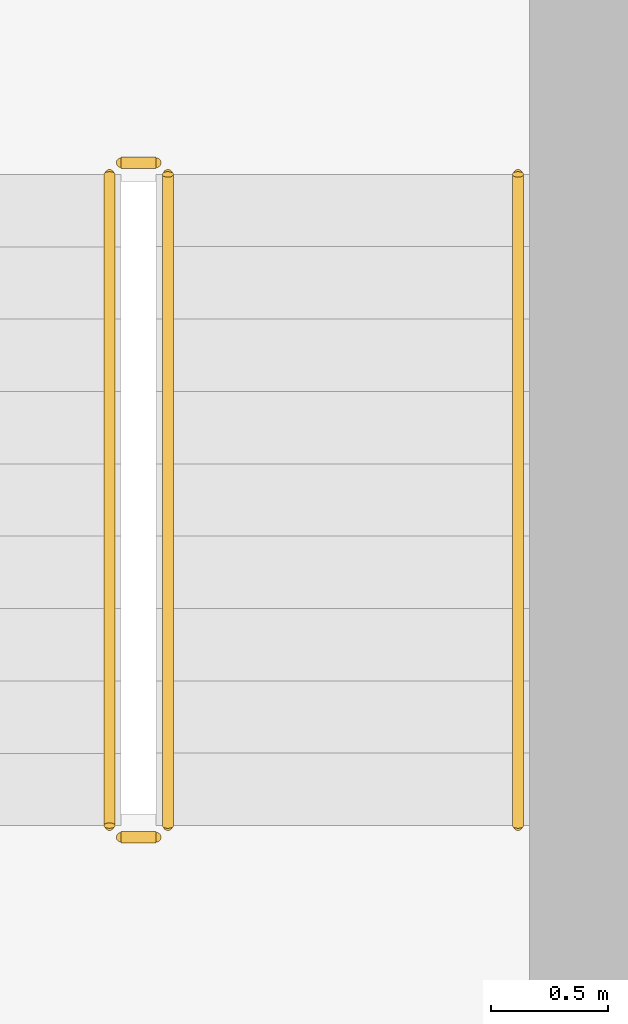
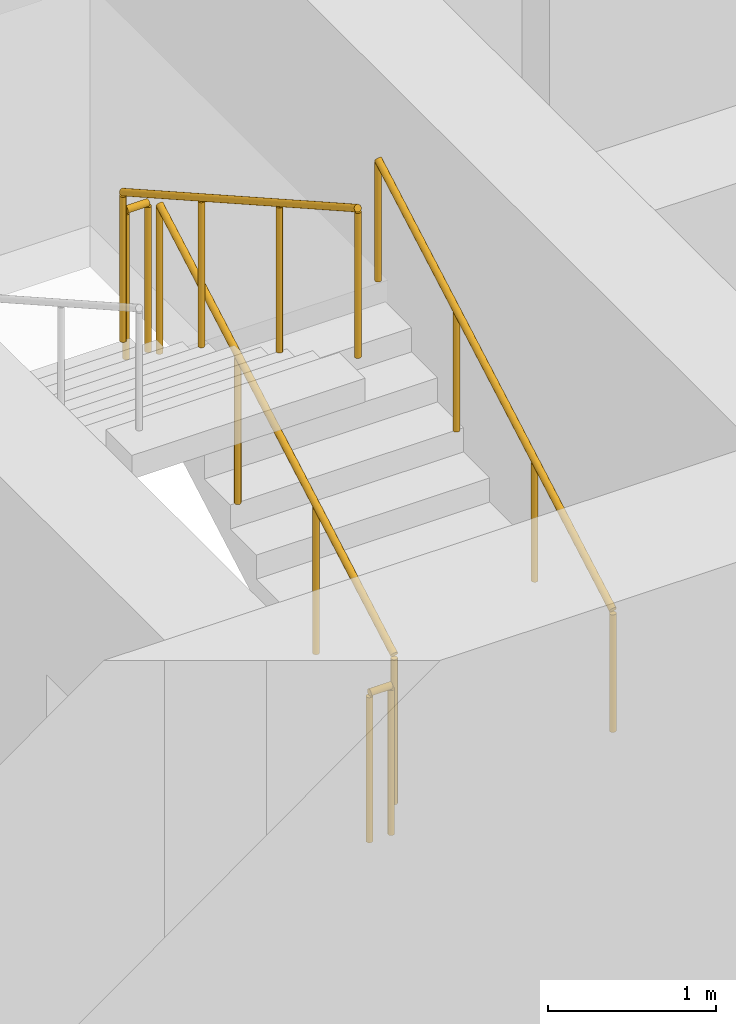
# One storey, part 17 of 21: 5 railings.
"""IFC4 building model written with IfcOpenShell, lengths in metres."""

from ifc_helpers import new_model, si_unit, direction, frame, origin, origin_2d, place, context, subcontext, project, spatial, circle, extrude, material, type_object, element, save


model = new_model("IFC4")

# Units and contexts
model_context = context("Model", 3, precision=1e-05, world=origin(), true_north=direction((0.0, 1.0)))
body_context = subcontext(model_context, "Body", "Model", "MODEL_VIEW")
ifc_project = project(units=[si_unit("LENGTHUNIT", "METRE"), si_unit("AREAUNIT", "SQUARE_METRE"), si_unit("VOLUMEUNIT", "CUBIC_METRE"), si_unit("PLANEANGLEUNIT", "RADIAN"), si_unit("MASSUNIT", "GRAM", prefix="KILO")], contexts=[model_context])

# Site, building, storey
site_placement = place(None, origin())
site = spatial("IfcSite", under=ifc_project, at=site_placement, CompositionType="ELEMENT")
building_placement = place(site_placement, origin())
building = spatial("IfcBuilding", under=site, at=building_placement, Name="Madar Terraces", CompositionType="ELEMENT")
storey_placement = place(building_placement, frame((0.0, 0.0, 29.39990234375)))
storey = spatial("IfcBuildingStorey", under=building, at=storey_placement, Name="L06", CompositionType="ELEMENT", Elevation=29.39990234375)

# Railings
ifc_material_1 = material(Name="Stainless steel railing", Category="steel")
railing_type_1 = type_object("IfcRailingType", Name="Stair guard 1100", PredefinedType="GUARDRAIL", material=ifc_material_1)
railing_1_placement = place(storey_placement, frame((21.199951171875, 17.60009765625, 0.175048828125)))
element("IfcRailing", 1, at=railing_1_placement, inside=storey, type_object=railing_type_1, Name="L06 ST1 stair guard 1", PredefinedType="GUARDRAIL", context=body_context, shape_type="SweptSolid", body=[
    extrude(circle(Radius=0.02392578125, at=origin_2d()), frame((0.0, 0.0, 1.076171875), z_axis=(0.0, 0.870815363784, 0.491610213684), x_axis=(-1.0, 0.0, 0.0)), (0.0, 0.0, 1.0), 3.20361328125),
    extrude(circle(Radius=0.02099609375, at=origin_2d()), origin(), (0.0, 0.0, 1.0), 1.052001953125),
    extrude(circle(Radius=0.02099609375, at=origin_2d()), frame((0.0, 0.929931640625, 0.52490234375)), (0.0, 0.0, 1.0), 1.052001953125),
    extrude(circle(Radius=0.02099609375, at=origin_2d()), frame((0.0, 1.85986328125, 1.050048828125)), (0.0, 0.0, 1.0), 1.052001953125),
    extrude(circle(Radius=0.02099609375, at=origin_2d()), frame((0.0, 2.789794921875, 1.574951171875)), (0.0, 0.0, 1.0), 1.052001953125),
])
railing_2_placement = place(storey_placement, frame((21.14990234375, 20.43994140625, 1.75)))
element("IfcRailing", 2, at=railing_2_placement, inside=storey, type_object=railing_type_1, Name="L06 ST1 stair guard 2", PredefinedType="GUARDRAIL", context=body_context, shape_type="SweptSolid", body=[
    extrude(circle(Radius=0.02392578125, at=origin_2d()), frame((0.0, 0.0, 1.076171875), z_axis=(-1.0, 0.0, 0.0), x_axis=(0.0, -1.0, 0.0)), (0.0, 0.0, 1.0), 0.14990234375),
    extrude(circle(Radius=0.02099609375, at=origin_2d()), origin(), (0.0, 0.0, 1.0), 1.052001953125),
    extrude(circle(Radius=0.02099609375, at=origin_2d()), frame((-0.14990234375, 0.0, 0.0)), (0.0, 0.0, 1.0), 1.052001953125),
])
railing_3_placement = place(storey_placement, frame((20.949951171875, 20.389892578125, 1.925048828125)))
element("IfcRailing", 3, at=railing_3_placement, inside=storey, type_object=railing_type_1, Name="L06 ST1 stair guard 3", PredefinedType="GUARDRAIL", context=body_context, shape_type="SweptSolid", body=[
    extrude(circle(Radius=0.02392578125, at=origin_2d()), frame((0.0, 0.0, 1.076171875), z_axis=(0.0, -0.870815363784, 0.491610213684), x_axis=(1.0, 0.0, 0.0)), (0.0, 0.0, 1.0), 3.20361328125),
    extrude(circle(Radius=0.02099609375, at=origin_2d()), origin(), (0.0, 0.0, 1.0), 1.052001953125),
    extrude(circle(Radius=0.02099609375, at=origin_2d()), frame((0.0, -0.929931640625, 0.52490234375)), (0.0, 0.0, 1.0), 1.052001953125),
    extrude(circle(Radius=0.02099609375, at=origin_2d()), frame((0.0, -1.85986328125, 1.050048828125)), (0.0, 0.0, 1.0), 1.052001953125),
    extrude(circle(Radius=0.02099609375, at=origin_2d()), frame((0.0, -2.789794921875, 1.574951171875)), (0.0, 0.0, 1.0), 1.052001953125),
])
railing_4_placement = place(storey_placement, frame((21.14990234375, 17.550048828125, 0.0)))
element("IfcRailing", 4, at=railing_4_placement, inside=storey, type_object=railing_type_1, Name="L06 ST1 stair guard 4", PredefinedType="GUARDRAIL", context=body_context, shape_type="SweptSolid", body=[
    extrude(circle(Radius=0.02392578125, at=origin_2d()), frame((0.0, 0.0, 1.076171875), z_axis=(-1.0, 0.0, 0.0), x_axis=(0.0, -1.0, 0.0)), (0.0, 0.0, 1.0), 0.14990234375),
    extrude(circle(Radius=0.02099609375, at=origin_2d()), origin(), (0.0, 0.0, 1.0), 1.052001953125),
    extrude(circle(Radius=0.02099609375, at=origin_2d()), frame((-0.14990234375, 0.0, 0.0)), (0.0, 0.0, 1.0), 1.052001953125),
])
ifc_material_2 = material(Name="Stainless steel railing", Category="steel")
railing_type_2 = type_object("IfcRailingType", Name="Stair handrail 900", PredefinedType="HANDRAIL", material=ifc_material_2)
railing_5_placement = place(storey_placement, frame((22.699951171875, 17.60009765625, 0.175048828125)))
element("IfcRailing", 5, at=railing_5_placement, inside=storey, type_object=railing_type_2, Name="L06 ST1 stair handrail 1", PredefinedType="HANDRAIL", context=body_context, shape_type="SweptSolid", body=[
    extrude(circle(Radius=0.02392578125, at=origin_2d()), frame((0.0, 0.0, 0.8759765625), z_axis=(0.0, 0.870815363784, 0.491610213684), x_axis=(-1.0, 0.0, 0.0)), (0.0, 0.0, 1.0), 3.20361328125),
    extrude(circle(Radius=0.02099609375, at=origin_2d()), origin(), (0.0, 0.0, 1.0), 0.851806640625),
    extrude(circle(Radius=0.02099609375, at=origin_2d()), frame((0.0, 0.929931640625, 0.52490234375)), (0.0, 0.0, 1.0), 0.851806640625),
    extrude(circle(Radius=0.02099609375, at=origin_2d()), frame((0.0, 1.85986328125, 1.050048828125)), (0.0, 0.0, 1.0), 0.851806640625),
    extrude(circle(Radius=0.02099609375, at=origin_2d()), frame((0.0, 2.789794921875, 1.574951171875)), (0.0, 0.0, 1.0), 0.851806640625),
])

save(model, "model.ifc")
